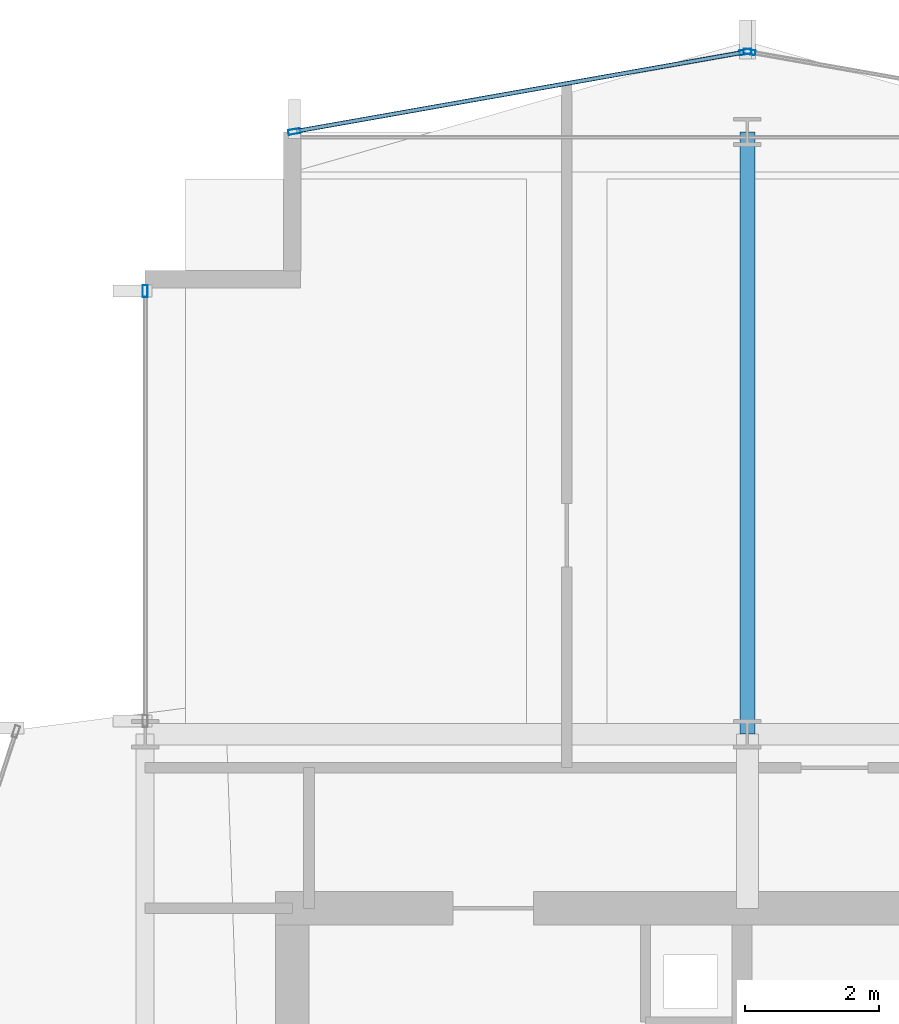
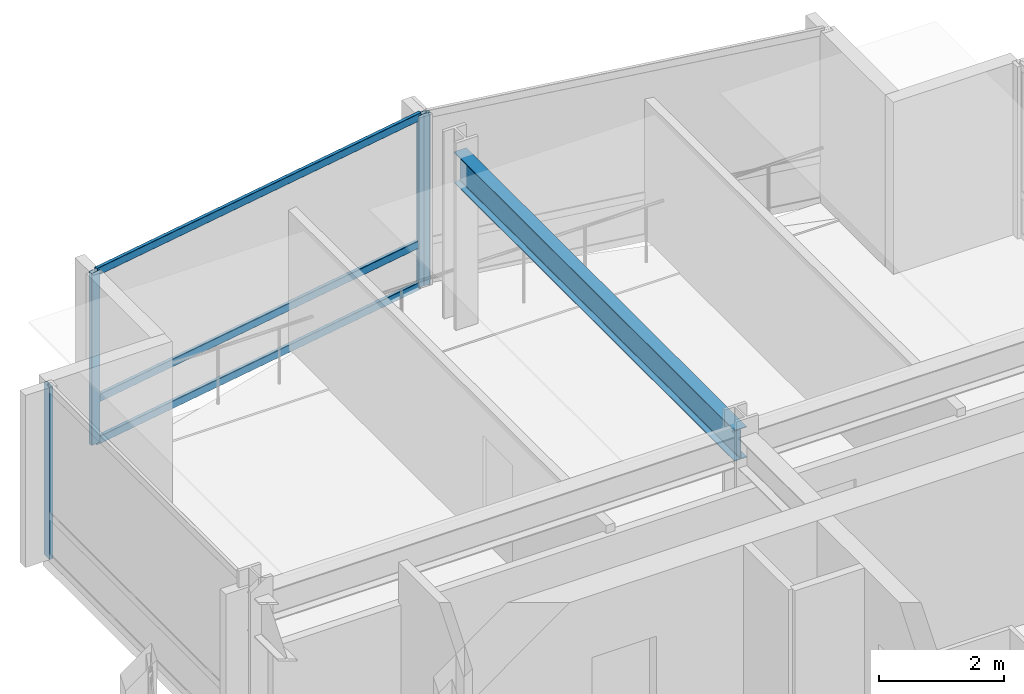
# One storey, part 19 of 29: 7 members, 1 beam, 3 elements without a shape of their own.
"""IFC4 building model written with IfcOpenShell, lengths in metres."""

from ifc_helpers import new_model, si_unit, direction, frame, origin, origin_2d, place, context, subcontext, project, spatial, hollow_rectangle, i_section, extrude, material, layer, layer_set, material_profile, profile_set, type_object, element, aggregate, save


model = new_model("IFC4")

# Units and contexts
model_context = context("Model", 3, precision=1e-05, world=origin(), true_north=direction((0.0, 1.0)))
body_context = subcontext(model_context, "Body", "Model", "MODEL_VIEW")
ifc_project = project(units=[si_unit("LENGTHUNIT", "METRE"), si_unit("AREAUNIT", "SQUARE_METRE"), si_unit("VOLUMEUNIT", "CUBIC_METRE"), si_unit("PLANEANGLEUNIT", "RADIAN"), si_unit("MASSUNIT", "GRAM", prefix="KILO")], contexts=[model_context])

# Site, building, storey
site_placement = place(None, origin())
site = spatial("IfcSite", under=ifc_project, at=site_placement, CompositionType="ELEMENT")
building_placement = place(site_placement, origin())
building = spatial("IfcBuilding", under=site, at=building_placement, Name="Solvaryn Broadcast Tower", CompositionType="ELEMENT")
storey_placement = place(building_placement, frame((0.0, 0.0, 165.5)))
storey = spatial("IfcBuildingStorey", under=building, at=storey_placement, Name="L41", CompositionType="ELEMENT", Elevation=165.5)

# Beam
ifc_material_1 = material(Name="Steel ASTM A992 Grade 50", Category="steel")
ifc_material_profile_1 = material_profile(ifc_material_1, i_section(OverallWidth=0.22802734375, OverallDepth=0.60791015625, WebThickness=0.01123046875, FlangeThickness=0.017333984375, FilletRadius=0.014892578125, at=origin_2d()))
ifc_profile_set_1 = profile_set([ifc_material_profile_1], Name="Steel ASTM A992 Grade 50")
beam_type = type_object("IfcBeamType", Name="BM-B2-W24X76", PredefinedType="BEAM", material=ifc_profile_set_1)
beam_placement = place(storey_placement, frame((18.0, 45.0, 3.06591796875), z_axis=(0.0, 1.0, 0.0), x_axis=(-1.0, 0.0, 0.0)))
element("IfcBeam", 1, at=beam_placement, inside=storey, type_object=beam_type, Name="L41 Primary Beam Y (45-54 @ X=18)", PredefinedType="BEAM", context=body_context, shape_type="SweptSolid", body=[
    extrude(i_section(OverallWidth=0.22802734375, OverallDepth=0.60791015625, WebThickness=0.01123046875, FlangeThickness=0.017333984375, FilletRadius=0.014892578125, at=origin_2d()), origin(), (0.0, 0.0, 1.0), 9.0),
])

# Curtain wall, member
ifc_material_2 = material(Name="Aluminium and Terracotta Unitised Curtain Wall", Category="masonry")
ifc_layer = layer(ifc_material_2, 0.199951171875)
ifc_layer_set = layer_set([ifc_layer], Name="CW-SYS2-LOWMID")
curtain_wall_type = type_object("IfcCurtainWallType", Name="CW-SYS2-LOWMID", PredefinedType="NOTDEFINED", material=ifc_layer_set)
curtain_wall_1_placement = place(storey_placement, origin())
curtain_wall_1 = element("IfcCurtainWall", 2, at=curtain_wall_1_placement, inside=storey, type_object=curtain_wall_type, Name="L41 Curtain Wall W2", PredefinedType="NOTDEFINED")
ifc_material_3 = material(Name="Anodised Aluminium 6063-T6", Category="aluminium")
ifc_material_profile_2 = material_profile(ifc_material_3, hollow_rectangle(XDim=0.074951171875, YDim=0.179931640625, WallThickness=0.00390625, InnerFilletRadius=0.00390625, OuterFilletRadius=0.008056640625, at=origin_2d()))
ifc_profile_set_2 = profile_set([ifc_material_profile_2], Name="Anodised Aluminium 6063-T6")
member_type_1 = type_object("IfcMemberType", Name="CW-MUL-180", PredefinedType="MULLION", material=ifc_profile_set_2)
member_1_placement = place(storey_placement, frame((9.0, 51.6201171875, 0.0), z_axis=(0.0, 0.0, 1.0), x_axis=(-1.0, 0.0, 0.0)))
member_1 = element("IfcMember", 3, at=member_1_placement, type_object=member_type_1, Name="CWS2 mullion 2", PredefinedType="MULLION", context=body_context, shape_type="SweptSolid", body=[
    extrude(hollow_rectangle(XDim=0.074951171875, YDim=0.179931640625, WallThickness=0.00390625, InnerFilletRadius=0.00390625, OuterFilletRadius=0.008056640625, at=origin_2d()), origin(), (0.0, 0.0, 1.0), 3.3701171875),
])
aggregate(curtain_wall_1, [member_1])

curtain_wall_2_placement = place(storey_placement, origin())
curtain_wall_2 = element("IfcCurtainWall", 4, at=curtain_wall_2_placement, inside=storey, type_object=curtain_wall_type, Name="L41 Curtain Wall NT1", PredefinedType="NOTDEFINED")
member_2_placement = place(storey_placement, frame((18.029541015625, 55.19482421875, 0.0), z_axis=(0.0, 0.0, 1.0), x_axis=(-0.173785333901, -0.984783558819, 0.0)))
member_2 = element("IfcMember", 5, at=member_2_placement, type_object=member_type_1, Name="CWS2 mullion 2", PredefinedType="MULLION", context=body_context, shape_type="SweptSolid", body=[
    extrude(hollow_rectangle(XDim=0.074951171875, YDim=0.179931640625, WallThickness=0.00390625, InnerFilletRadius=0.00390625, OuterFilletRadius=0.008056640625, at=origin_2d()), origin(), (0.0, 0.0, 1.0), 3.3701171875),
])
aggregate(curtain_wall_2, [member_2])

# Curtain wall, members
curtain_wall_3_placement = place(storey_placement, origin())
curtain_wall_3 = element("IfcCurtainWall", 6, at=curtain_wall_3_placement, inside=storey, type_object=curtain_wall_type, Name="L41 Curtain Wall NT2", PredefinedType="NOTDEFINED")
member_3_placement = place(storey_placement, frame((17.970458984375, 55.19482421875, 0.0), z_axis=(0.0, 0.0, 1.0), x_axis=(0.173785333901, -0.984783558819, 0.0)))
member_3 = element("IfcMember", 7, at=member_3_placement, type_object=member_type_1, Name="CWS2 mullion 1", PredefinedType="MULLION", context=body_context, shape_type="SweptSolid", body=[
    extrude(hollow_rectangle(XDim=0.074951171875, YDim=0.179931640625, WallThickness=0.00390625, InnerFilletRadius=0.00390625, OuterFilletRadius=0.008056640625, at=origin_2d()), origin(), (0.0, 0.0, 1.0), 3.3701171875),
])
member_4_placement = place(storey_placement, frame((11.2294921875, 54.005126953125, 0.0), z_axis=(0.0, 0.0, 1.0), x_axis=(0.173785333901, -0.984783558819, 0.0)))
member_4 = element("IfcMember", 8, at=member_4_placement, type_object=member_type_1, Name="CWS2 mullion 2", PredefinedType="MULLION", context=body_context, shape_type="SweptSolid", body=[
    extrude(hollow_rectangle(XDim=0.074951171875, YDim=0.179931640625, WallThickness=0.00390625, InnerFilletRadius=0.00390625, OuterFilletRadius=0.008056640625, at=origin_2d()), origin(), (0.0, 0.0, 1.0), 3.3701171875),
])
ifc_material_4 = material(Name="Anodised Aluminium 6063-T6", Category="aluminium")
ifc_material_profile_3 = material_profile(ifc_material_4, hollow_rectangle(XDim=0.06494140625, YDim=0.14990234375, WallThickness=0.00390625, InnerFilletRadius=0.00390625, OuterFilletRadius=0.008056640625, at=origin_2d()))
ifc_profile_set_3 = profile_set([ifc_material_profile_3], Name="Anodised Aluminium 6063-T6")
member_type_2 = type_object("IfcMemberType", Name="CW-TRN-150", PredefinedType="USERDEFINED", material=ifc_profile_set_3)
member_5_placement = place(storey_placement, frame((17.94091796875, 55.189453125, 0.030029296875), z_axis=(-0.984788629673, -0.173756596613, 0.0), x_axis=(0.173756596613, -0.984788629673, 0.0)))
member_5 = element("IfcMember", 9, at=member_5_placement, type_object=member_type_2, Name="CWS2 transom 1.1", ObjectType="TRANSOM", PredefinedType="USERDEFINED", context=body_context, shape_type="SweptSolid", body=[
    extrude(hollow_rectangle(XDim=0.06494140625, YDim=0.14990234375, WallThickness=0.00390625, InnerFilletRadius=0.00390625, OuterFilletRadius=0.008056640625, at=origin_2d()), origin(), (0.0, 0.0, 1.0), 6.78515625),
])
member_6_placement = place(storey_placement, frame((17.94091796875, 55.189453125, 0.85009765625), z_axis=(-0.984788629673, -0.173756596613, 0.0), x_axis=(0.173756596613, -0.984788629673, 0.0)))
member_6 = element("IfcMember", 10, at=member_6_placement, type_object=member_type_2, Name="CWS2 transom 1.2", ObjectType="TRANSOM", PredefinedType="USERDEFINED", context=body_context, shape_type="SweptSolid", body=[
    extrude(hollow_rectangle(XDim=0.06494140625, YDim=0.14990234375, WallThickness=0.00390625, InnerFilletRadius=0.00390625, OuterFilletRadius=0.008056640625, at=origin_2d()), origin(), (0.0, 0.0, 1.0), 6.78515625),
])
member_7_placement = place(storey_placement, frame((17.94091796875, 55.189453125, 3.340087890625), z_axis=(-0.984788629673, -0.173756596613, 0.0), x_axis=(0.173756596613, -0.984788629673, 0.0)))
member_7 = element("IfcMember", 11, at=member_7_placement, type_object=member_type_2, Name="CWS2 transom 1.3", ObjectType="TRANSOM", PredefinedType="USERDEFINED", context=body_context, shape_type="SweptSolid", body=[
    extrude(hollow_rectangle(XDim=0.06494140625, YDim=0.14990234375, WallThickness=0.00390625, InnerFilletRadius=0.00390625, OuterFilletRadius=0.008056640625, at=origin_2d()), origin(), (0.0, 0.0, 1.0), 6.78515625),
])
aggregate(curtain_wall_3, [member_3, member_4, member_5, member_6, member_7])

save(model, "model.ifc")
